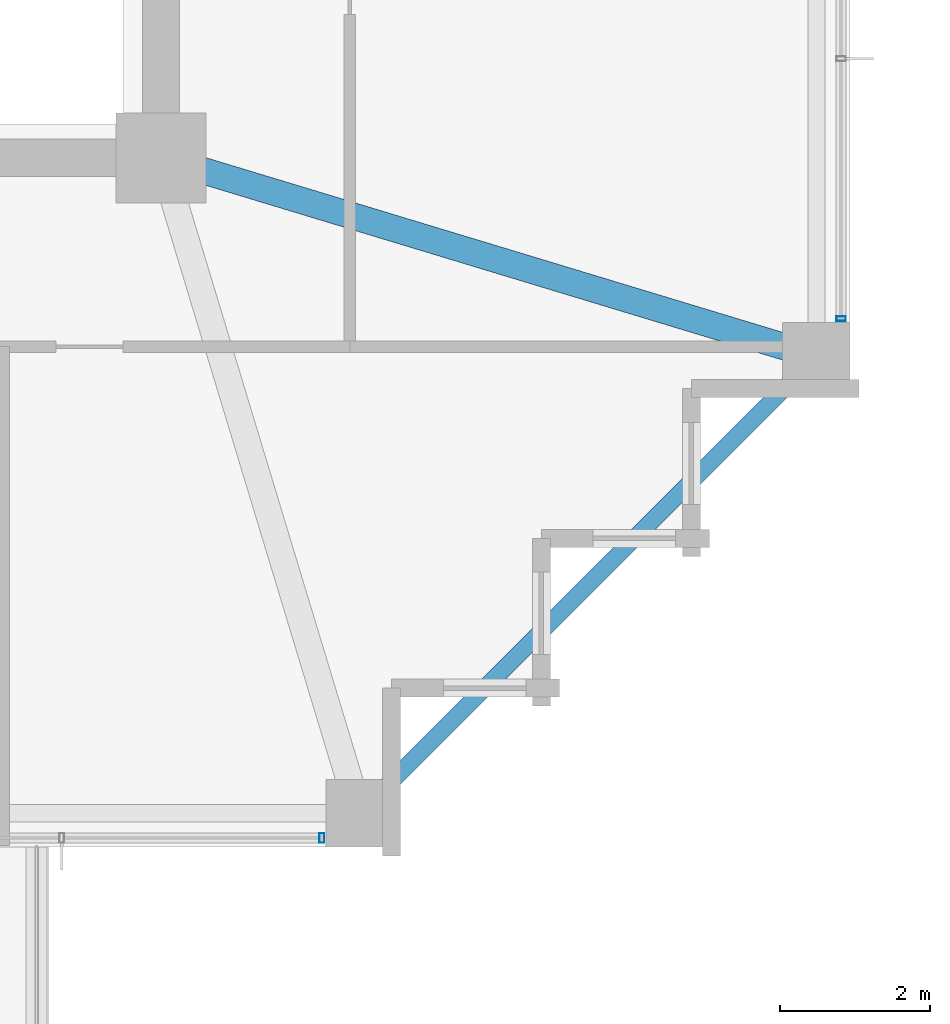
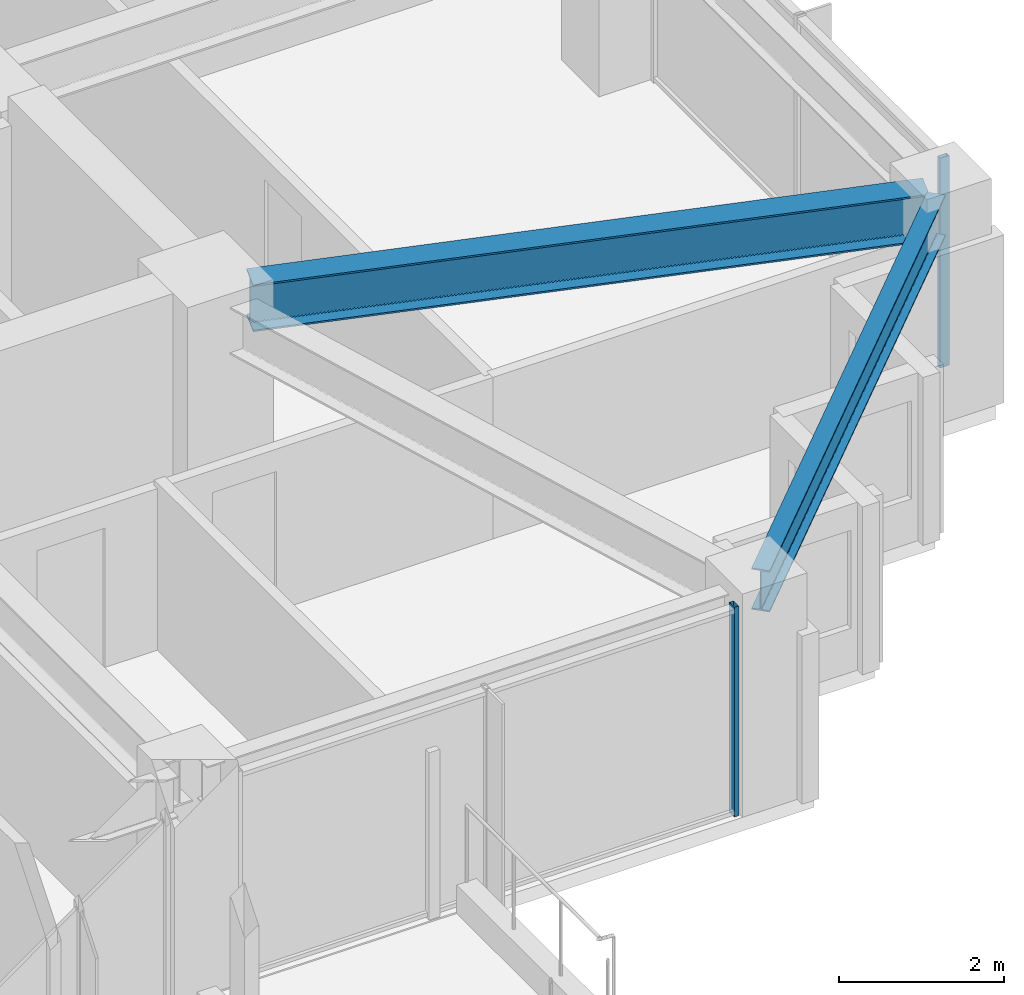
# One storey, part 11 of 32: 2 beams, 2 members, 2 elements without a shape of their own.
"""IFC4 building model written with IfcOpenShell, lengths in metres."""

from ifc_helpers import new_model, si_unit, direction, frame, origin, origin_2d, place, context, subcontext, project, spatial, hollow_rectangle, i_section, extrude, material, material_profile, profile_set, type_object, element, aggregate, save


model = new_model("IFC4")

# Units and contexts
model_context = context("Model", 3, precision=1e-05, world=origin(), true_north=direction((0.0, 1.0)))
body_context = subcontext(model_context, "Body", "Model", "MODEL_VIEW")
ifc_project = project(units=[si_unit("LENGTHUNIT", "METRE"), si_unit("AREAUNIT", "SQUARE_METRE"), si_unit("VOLUMEUNIT", "CUBIC_METRE"), si_unit("PLANEANGLEUNIT", "RADIAN"), si_unit("MASSUNIT", "GRAM", prefix="KILO")], contexts=[model_context])

# Site, building, storey
site_placement = place(None, origin())
site = spatial("IfcSite", under=ifc_project, at=site_placement, CompositionType="ELEMENT")
building_placement = place(site_placement, origin())
building = spatial("IfcBuilding", under=site, at=building_placement, Name="Kolvaren Belvedere", CompositionType="ELEMENT")
storey_placement = place(building_placement, frame((0.0, 0.0, 160.199951171875)))
storey = spatial("IfcBuildingStorey", under=building, at=storey_placement, Name="L46", CompositionType="ELEMENT", Elevation=160.199951171875)

# Beams
ifc_material_1 = material(Name="Structural steel ASTM A992 Grade 50", Category="steel")
ifc_material_profile_1 = material_profile(ifc_material_1, i_section(OverallWidth=0.35498046875, OverallDepth=0.696044921875, WebThickness=0.015380859375, FlangeThickness=0.02490234375, FilletRadius=0.02197265625, at=origin_2d()), Name="W27X146")
ifc_profile_set_1 = profile_set([ifc_material_profile_1], Name="Structural steel ASTM A992 Grade 50")
beam_type_1 = type_object("IfcBeamType", Name="BM-GIRD-W27X146", PredefinedType="BEAM", material=ifc_profile_set_1)
beam_1_placement = place(storey_placement, frame((10.426513671875, -10.059326171875, 2.751953125), z_axis=(0.957067352423, -0.289865629086, 0.0), x_axis=(0.289865629086, 0.957067352423, 0.0)))
element("IfcBeam", 1, at=beam_1_placement, inside=storey, type_object=beam_type_1, Name="L46 Corner Core-to-Perimeter Girder CC2-E1", PredefinedType="BEAM", context=body_context, shape_type="SweptSolid", body=[
    extrude(i_section(OverallWidth=0.35498046875, OverallDepth=0.696044921875, WebThickness=0.015380859375, FlangeThickness=0.02490234375, FilletRadius=0.02197265625, at=origin_2d()), origin(), (0.0, 0.0, 1.0), 8.412353515625),
])
ifc_material_2 = material(Name="Structural steel ASTM A992 Grade 50", Category="steel")
ifc_material_profile_2 = material_profile(ifc_material_2, i_section(OverallWidth=0.22900390625, OverallDepth=0.612060546875, WebThickness=0.011962890625, FlangeThickness=0.01953125, FilletRadius=0.01806640625, at=origin_2d()), Name="W24X84")
ifc_profile_set_2 = profile_set([ifc_material_profile_2], Name="Structural steel ASTM A992 Grade 50")
beam_type_2 = type_object("IfcBeamType", Name="BM-SPAN-W24X84", PredefinedType="SPANDREL", material=ifc_profile_set_2)
beam_2_placement = place(storey_placement, frame((12.693115234375, -18.5068359375, 2.7939453125), z_axis=(0.707106781187, 0.707106781187, 0.0), x_axis=(-0.707106781187, 0.707106781187, 0.0)))
element("IfcBeam", 2, at=beam_2_placement, inside=storey, type_object=beam_type_2, Name="L46 Perimeter Spandrel S4-E1", PredefinedType="SPANDREL", context=body_context, shape_type="SweptSolid", body=[
    extrude(i_section(OverallWidth=0.22900390625, OverallDepth=0.612060546875, WebThickness=0.011962890625, FlangeThickness=0.01953125, FilletRadius=0.01806640625, at=origin_2d()), origin(), (0.0, 0.0, 1.0), 8.221923828125),
])

# Curtain wall, member
ifc_material_3 = material(Name="Anodised pale-metal aluminium AA 6063-T6", Category="aluminium")
curtain_wall_type = type_object("IfcCurtainWallType", Name="CW-Z3-WAIST", PredefinedType="NOTDEFINED", material=ifc_material_3)
curtain_wall_1_placement = place(storey_placement, origin())
curtain_wall_1 = element("IfcCurtainWall", 3, at=curtain_wall_1_placement, inside=storey, type_object=curtain_wall_type, Name="L46 Unitised Curtain Wall FCW-L46-S1-B1", PredefinedType="NOTDEFINED")
ifc_material_4 = material(Name="Anodised pale-metal aluminium AA 6063-T6", Category="aluminium")
ifc_material_profile_3 = material_profile(ifc_material_4, hollow_rectangle(XDim=0.06494140625, YDim=0.1298828125, WallThickness=0.00390625, at=origin_2d()), Name="ALU-MUL-130X65")
ifc_profile_set_3 = profile_set([ifc_material_profile_3], Name="Anodised pale-metal aluminium AA 6063-T6")
member_type = type_object("IfcMemberType", Name="CW-MUL-130", PredefinedType="MULLION", material=ifc_profile_set_3)
member_1_placement = place(storey_placement, frame((12.047607421875, -18.97998046875, 0.0), z_axis=(0.0, 0.0, 1.0), x_axis=(1.0, 0.0, 0.0)))
member_1 = element("IfcMember", 4, at=member_1_placement, type_object=member_type, Name="FCW-L46-S1-B1 Unitised Mullion 1", PredefinedType="MULLION", context=body_context, shape_type="SweptSolid", body=[
    extrude(hollow_rectangle(XDim=0.06494140625, YDim=0.1298828125, WallThickness=0.00390625, at=origin_2d()), origin(), (0.0, 0.0, 1.0), 3.10009765625),
])
aggregate(curtain_wall_1, [member_1])

curtain_wall_2_placement = place(storey_placement, origin())
curtain_wall_2 = element("IfcCurtainWall", 5, at=curtain_wall_2_placement, inside=storey, type_object=curtain_wall_type, Name="L46 Unitised Curtain Wall FCW-L46-E-B3", PredefinedType="NOTDEFINED")
member_2_placement = place(storey_placement, frame((18.97998046875, -12.047607421875, 0.0), z_axis=(0.0, 0.0, 1.0), x_axis=(0.0, 1.0, 0.0)))
member_2 = element("IfcMember", 6, at=member_2_placement, type_object=member_type, Name="FCW-L46-E-B3 Unitised Mullion 3", PredefinedType="MULLION", context=body_context, shape_type="SweptSolid", body=[
    extrude(hollow_rectangle(XDim=0.06494140625, YDim=0.1298828125, WallThickness=0.00390625, at=origin_2d()), origin(), (0.0, 0.0, 1.0), 3.10009765625),
])
aggregate(curtain_wall_2, [member_2])

save(model, "model.ifc")
